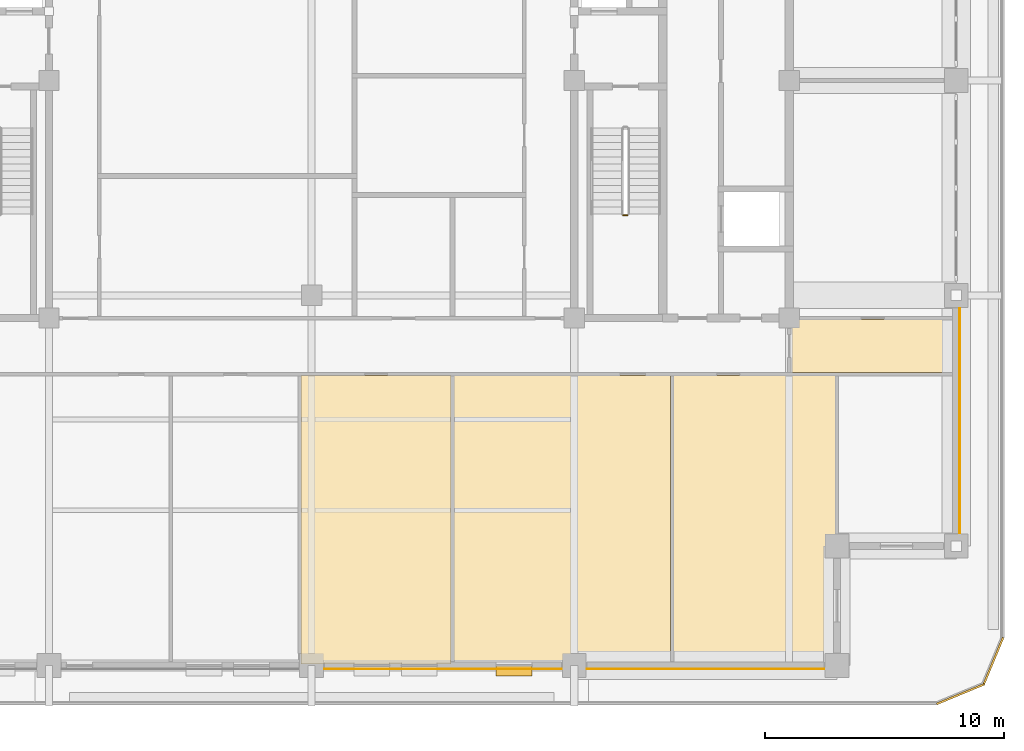
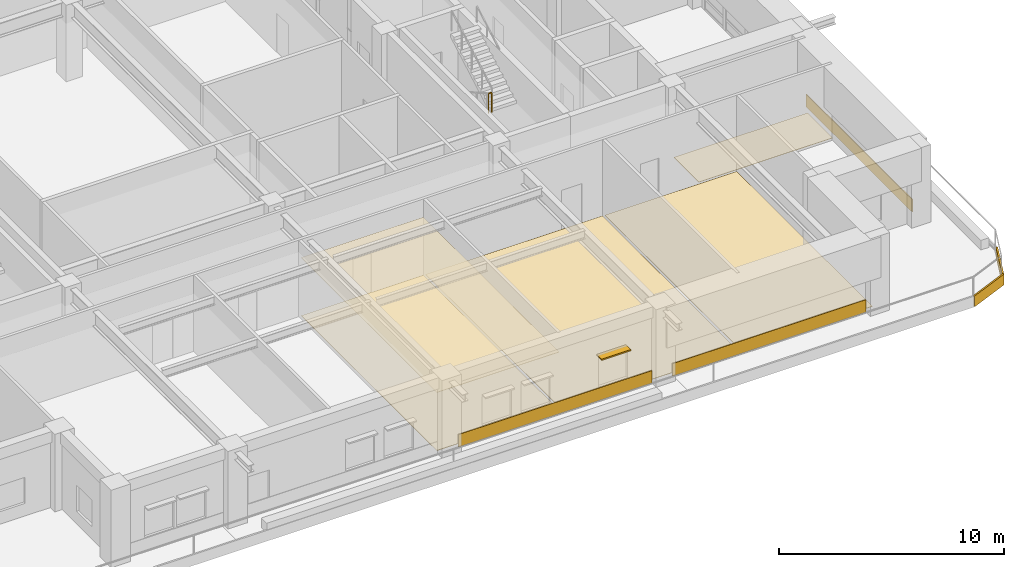
# One storey, part 17 of 20: 10 coverings, 1 railing, 1 shading device.
"""IFC4 building model written with IfcOpenShell, lengths in metres."""

from ifc_helpers import new_model, si_unit, direction, frame, frame_2d, origin, origin_2d, place, context, subcontext, project, spatial, polyline, rectangle, outline, extrude, material, layer, layer_set, type_object, element, save


model = new_model("IFC4")

# Units and contexts
model_context = context("Model", 3, precision=1e-05, world=origin(), true_north=direction((0.0, 1.0)))
body_context = subcontext(model_context, "Body", "Model", "MODEL_VIEW")
ifc_project = project(units=[si_unit("LENGTHUNIT", "METRE"), si_unit("AREAUNIT", "SQUARE_METRE"), si_unit("VOLUMEUNIT", "CUBIC_METRE"), si_unit("PLANEANGLEUNIT", "RADIAN"), si_unit("MASSUNIT", "GRAM", prefix="KILO")], contexts=[model_context])

# Site, building, storey
site_placement = place(None, origin())
site = spatial("IfcSite", under=ifc_project, at=site_placement, CompositionType="ELEMENT")
building_placement = place(site_placement, origin())
building = spatial("IfcBuilding", under=site, at=building_placement, Name="Zulmaris Gate Convention Tower", CompositionType="ELEMENT")
storey_placement = place(building_placement, frame((0.0, 0.0, 158.23974609375)))
storey = spatial("IfcBuildingStorey", under=building, at=storey_placement, Name="L40", CompositionType="ELEMENT", Elevation=158.23974609375)

# Coverings
ifc_material_1 = material(Name="Precast concrete C40/50", Category="concrete")
ifc_layer_1 = layer(ifc_material_1, 0.0400390625, Name="Precast concrete C40/50")
ifc_layer_set_1 = layer_set([ifc_layer_1], Name="Precast concrete C40/50")
covering_type_1 = type_object("IfcCoveringType", Name="CLAD-SPANDREL-PRECAST", PredefinedType="CLADDING", material=ifc_layer_set_1)
for number, where, z_axis, x_axis, name in (
    (1, (0.530029296875, -24.64990234375, 0.0), (0.0, 0.0, 1.0), (1.0, 0.0, 0.0), "CLD-L40-S-2_0"),
    (2, (11.530029296875, -24.64990234375, 0.0), (0.0, 0.0, 1.0), (1.0, 0.0, 0.0), "CLD-L40-S-3_0"),
):
    element("IfcCovering", number, at=place(storey_placement, frame(where, z_axis=z_axis, x_axis=x_axis)), inside=storey, type_object=covering_type_1, Name=name, PredefinedType="CLADDING", context=body_context, shape_type="SweptSolid", body=[
        extrude(rectangle(XDim=9.93994140625, YDim=0.0400390625, at=frame_2d((4.969970703125, 0.0))), origin(), (0.0, 0.0, 1.0), 0.679931640625),
    ])
covering_1_placement = place(storey_placement, frame((27.14990234375, -18.969970703125, 0.0), z_axis=(0.0, 0.0, 1.0), x_axis=(0.0, 1.0, 0.0)))
element("IfcCovering", 3, at=covering_1_placement, inside=storey, type_object=covering_type_1, Name="CLD-L40-E-0_0", PredefinedType="CLADDING", context=body_context, shape_type="SweptSolid", body=[
    extrude(rectangle(XDim=9.43994140625, YDim=0.0400390625, at=frame_2d((4.719970703125, 0.0))), origin(), (0.0, 0.0, 1.0), 0.679931640625),
])
ifc_material_2 = material(Name="White Glazed Architectural Precast Concrete C40/50", Category="concrete")
ifc_layer_2 = layer(ifc_material_2, 0.080078125, Name="White Glazed Architectural Precast Concrete C40/50")
ifc_layer_set_2 = layer_set([ifc_layer_2], Name="White Glazed Architectural Precast Concrete C40/50")
covering_type_2 = type_object("IfcCoveringType", Name="CLAD-TRAY-FASCIA", PredefinedType="CLADDING", material=ifc_layer_set_2)
covering_2_placement = place(storey_placement, frame((26.184814453125, -26.113037109375, -0.465087890625), z_axis=(0.0, 0.0, 1.0), x_axis=(0.923873803533, 0.382697263049, 0.0)))
element("IfcCovering", 4, at=covering_2_placement, inside=storey, type_object=covering_type_2, Name="FSC-L40-TR-03", PredefinedType="CLADDING", context=body_context, shape_type="SweptSolid", body=[
    extrude(rectangle(XDim=2.142822265625, YDim=0.080078125, at=frame_2d((1.0712890625, 0.0))), origin(), (0.0, 0.0, 1.0), 0.5849609375),
])
covering_3_placement = place(storey_placement, frame((28.142822265625, -25.314697265625, -0.465087890625), z_axis=(0.0, 0.0, 1.0), x_axis=(0.382656984709, 0.923890487046, 0.0)))
element("IfcCovering", 5, at=covering_3_placement, inside=storey, type_object=covering_type_2, Name="FSC-L40-TR-04", PredefinedType="CLADDING", context=body_context, shape_type="SweptSolid", body=[
    extrude(rectangle(XDim=2.14306640625, YDim=0.080078125, at=frame_2d((1.071533203125, 0.0))), origin(), (0.0, 0.0, 1.0), 0.5849609375),
])
ifc_material_3 = material(Name="Mineral Fibre Acoustic Ceiling Tile")
ifc_layer_3 = layer(ifc_material_3, 0.02001953125, Name="Mineral Fibre Acoustic Ceiling Tile")
ifc_layer_set_3 = layer_set([ifc_layer_3], Name="Mineral Fibre Acoustic Ceiling Tile")
covering_type_3 = type_object("IfcCoveringType", Name="CLG-ACOUSTIC-600", PredefinedType="CEILING", material=ifc_layer_set_3)
covering_4_placement = place(storey_placement, frame((0.0, 0.0, 3.153076171875)))
element("IfcCovering", 6, at=covering_4_placement, inside=storey, type_object=covering_type_3, Name="CLG-L40-R42", PredefinedType="CEILING", context=body_context, shape_type="SweptSolid", body=[
    extrude(outline(polyline([(-0.43994140625, -24.43994140625), (5.840087890625, -24.43994140625), (5.840087890625, -12.360107421875), (-0.43994140625, -12.360107421875), (-0.43994140625, -24.43994140625)])), origin(), (0.0, 0.0, 1.0), 0.02001953125),
])
ifc_material_4 = material(Name="Woven Acoustic Wool Carpet Tile")
ifc_layer_4 = layer(ifc_material_4, 0.02001953125, Name="Woven Acoustic Wool Carpet Tile")
ifc_layer_set_4 = layer_set([ifc_layer_4], Name="Woven Acoustic Wool Carpet Tile")
covering_type_4 = type_object("IfcCoveringType", Name="FLR-CARPET-12", PredefinedType="FLOORING", material=ifc_layer_set_4)
covering_5_placement = place(storey_placement, origin())
element("IfcCovering", 7, at=covering_5_placement, inside=storey, type_object=covering_type_4, Name="FLR-L40-R42", PredefinedType="FLOORING", context=body_context, shape_type="SweptSolid", body=[
    extrude(outline(polyline([(-0.43994140625, -24.43994140625), (5.840087890625, -24.43994140625), (5.840087890625, -12.360107421875), (-0.43994140625, -12.360107421875), (-0.43994140625, -24.43994140625)])), origin(), (0.0, 0.0, 1.0), 0.02001953125),
])
covering_6_placement = place(storey_placement, origin())
element("IfcCovering", 8, at=covering_6_placement, inside=storey, type_object=covering_type_4, Name="FLR-L40-R43", PredefinedType="FLOORING", context=body_context, shape_type="SweptSolid", body=[
    extrude(outline(polyline([(5.9599609375, -24.43994140625), (15.0400390625, -24.43994140625), (15.0400390625, -12.360107421875), (5.9599609375, -12.360107421875), (5.9599609375, -24.43994140625)])), origin(), (0.0, 0.0, 1.0), 0.02001953125),
])
covering_7_placement = place(storey_placement, origin())
element("IfcCovering", 9, at=covering_7_placement, inside=storey, type_object=covering_type_4, Name="FLR-L40-R44", PredefinedType="FLOORING", context=body_context, shape_type="SweptSolid", body=[
    extrude(outline(polyline([(15.159912109375, -24.43994140625), (21.93994140625, -24.43994140625), (21.93994140625, -12.360107421875), (15.159912109375, -12.360107421875), (15.159912109375, -24.43994140625)])), origin(), (0.0, 0.0, 1.0), 0.02001953125),
])
covering_8_placement = place(storey_placement, origin())
element("IfcCovering", 10, at=covering_8_placement, inside=storey, type_object=covering_type_4, Name="FLR-L40-R52", PredefinedType="FLOORING", context=body_context, shape_type="SweptSolid", body=[
    extrude(outline(polyline([(20.06005859375, -12.239990234375), (26.93994140625, -12.239990234375), (26.93994140625, -10.010009765625), (20.06005859375, -10.010009765625), (20.06005859375, -12.239990234375)])), origin(), (0.0, 0.0, 1.0), 0.02001953125),
])

# Railing
ifc_material_5 = material(Name="Painted Galvanised Steel", Category="steel")
railing_type = type_object("IfcRailingType", Name="RL-STG-1150", PredefinedType="GUARDRAIL", material=ifc_material_5)
railing_placement = place(storey_placement, frame((13.06005859375, -5.64990234375, 2.2099609375)))
element("IfcRailing", 11, at=railing_placement, inside=storey, type_object=railing_type, Name="L40 ST-2 stair guard 2", PredefinedType="GUARDRAIL", context=body_context, shape_type="SweptSolid", body=[
    extrude(rectangle(XDim=0.048095703125, YDim=0.048095703125, at=origin_2d()), frame((0.0, 0.0, 1.076171875), z_axis=(1.0, 0.0, 0.0), x_axis=(0.0, 1.0, 0.0)), (0.0, 0.0, 1.0), 0.159912109375),
    extrude(rectangle(XDim=0.0419921875, YDim=0.0419921875, at=origin_2d()), origin(), (0.0, 0.0, 1.0), 1.052001953125),
    extrude(rectangle(XDim=0.0419921875, YDim=0.0419921875, at=origin_2d()), frame((0.159912109375, 0.0, 0.0)), (0.0, 0.0, 1.0), 1.052001953125),
])

# Shading device
ifc_material_6 = material(Name="Glazed Ceramic Terracotta", Category="masonry")
ifc_layer_5 = layer(ifc_material_6, 0.070068359375, Name="Glazed Ceramic Terracotta")
ifc_layer_set_5 = layer_set([ifc_layer_5], Name="Glazed Ceramic Terracotta")
shading_device_type = type_object("IfcShadingDeviceType", Name="SHD-SUNSHADE-TC", PredefinedType="AWNING", material=ifc_layer_set_5)
shading_device_placement = place(storey_placement, frame((7.73193359375, -24.719970703125, 2.349853515625), z_axis=(0.0, 0.0, 1.0), x_axis=(1.0, 0.0, 0.0)))
element("IfcShadingDevice", 12, at=shading_device_placement, inside=storey, type_object=shading_device_type, Name="SHD-EW-L40-S-2_0-4", PredefinedType="AWNING", context=body_context, shape_type="SweptSolid", body=[
    extrude(rectangle(XDim=1.5, YDim=0.43994140625, at=frame_2d((0.75, 0.0))), origin(), (0.0, 0.0, 1.0), 0.070068359375),
])

save(model, "model.ifc")
